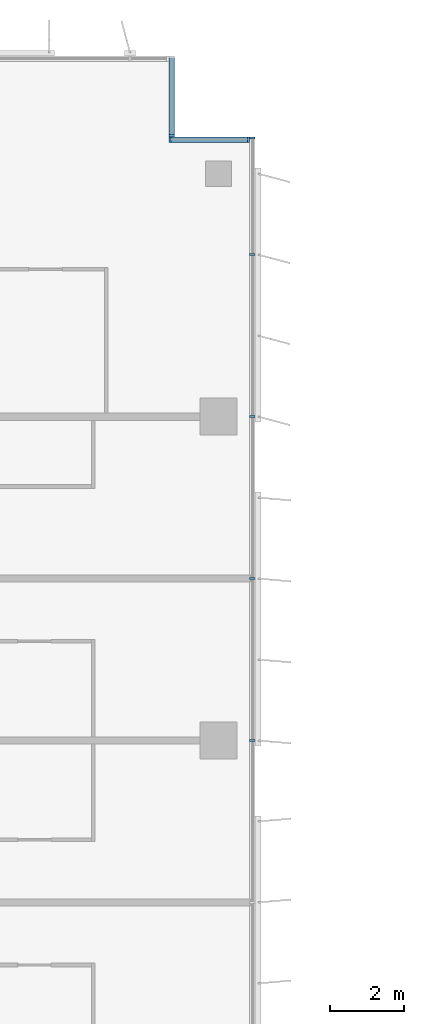
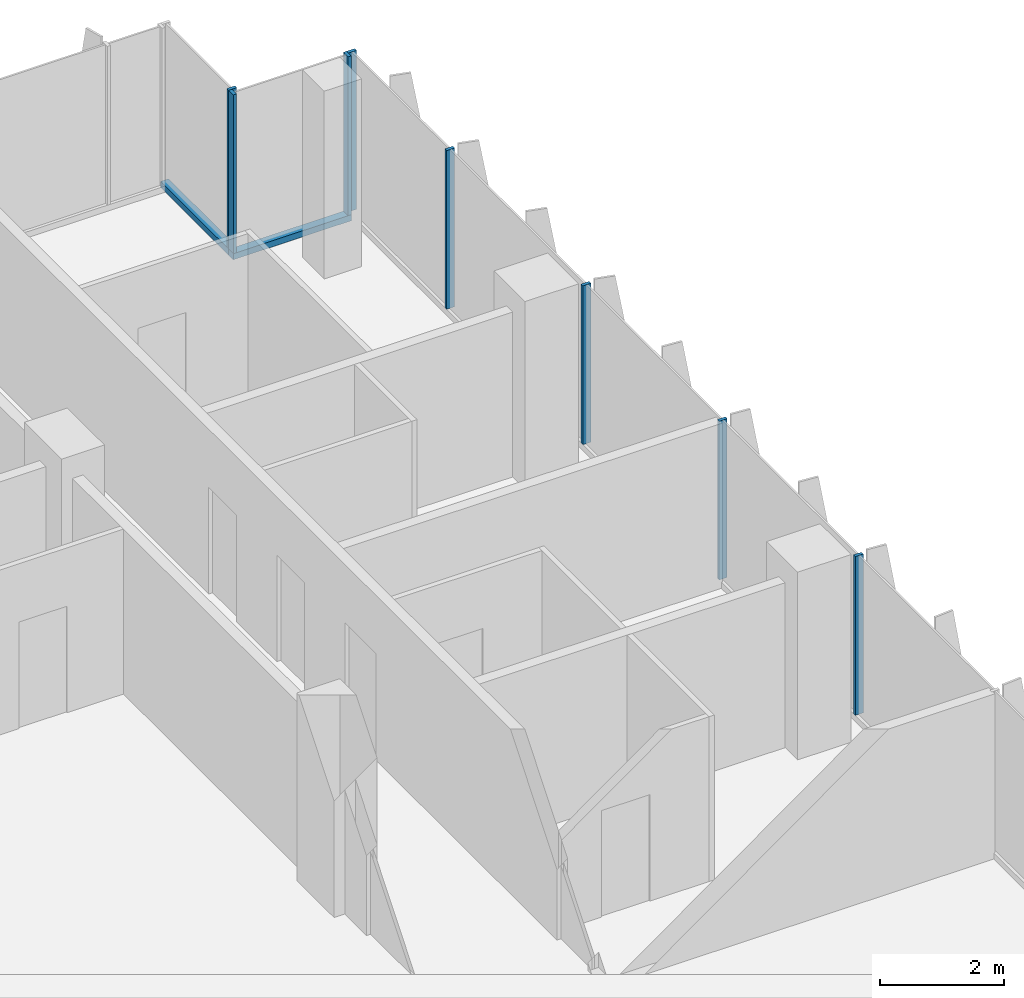
# One storey, part 7 of 21: 10 members, 3 elements without a shape of their own.
"""IFC4 building model written with IfcOpenShell, lengths in metres."""

from ifc_helpers import new_model, si_unit, direction, frame, origin, origin_2d, place, context, subcontext, project, spatial, rectangle, extrude, source, transform, mapped, material, material_profile, profile_set, type_object, element, aggregate, save


model = new_model("IFC4")

# Units and contexts
model_context = context("Model", 3, precision=1e-05, world=origin(), true_north=direction((0.0, 1.0)))
body_context = subcontext(model_context, "Body", "Model", "MODEL_VIEW")
ifc_project = project(units=[si_unit("LENGTHUNIT", "METRE"), si_unit("AREAUNIT", "SQUARE_METRE"), si_unit("VOLUMEUNIT", "CUBIC_METRE"), si_unit("PLANEANGLEUNIT", "RADIAN"), si_unit("MASSUNIT", "GRAM", prefix="KILO")], contexts=[model_context])

# Site, building, storey
site_placement = place(None, origin())
site = spatial("IfcSite", under=ifc_project, at=site_placement, CompositionType="ELEMENT")
building_placement = place(site_placement, origin())
building = spatial("IfcBuilding", under=site, at=building_placement, Name="Kemantara Hotel Tower", CompositionType="ELEMENT")
storey_placement = place(building_placement, frame((0.0, 0.0, 219.10009765625)))
storey = spatial("IfcBuildingStorey", under=building, at=storey_placement, Name="L54", CompositionType="ELEMENT", Elevation=219.10009765625)

# Curtain wall, member
ifc_material_1 = material(Name="Low-E tinted double insulated glass 36 mm", Category="glass")
curtain_wall_type = type_object("IfcCurtainWallType", Name="TOWER CURTAIN WALL, FRONT FACES", PredefinedType="USERDEFINED", material=ifc_material_1)
curtain_wall_1_placement = place(storey_placement, origin())
curtain_wall_1 = element("IfcCurtainWall", 1, at=curtain_wall_1_placement, inside=storey, type_object=curtain_wall_type, Name="CW4 L54 T3-R00-1", ObjectType="TOWER CURTAIN WALL, FRONT FACES", PredefinedType="USERDEFINED")
ifc_material_2 = material(Name="Aluminium 6063-T6 bronze anodised", Category="aluminium")
ifc_material_profile_1 = material_profile(ifc_material_2, rectangle(XDim=0.14990234375, YDim=0.1201171875, at=origin_2d()), Name="TOWER CURTAIN WALL, FRONT FACES TRANSOM")
ifc_profile_set_1 = profile_set([ifc_material_profile_1], Name="Aluminium 6063-T6 bronze anodised")
member_type_1 = type_object("IfcMemberType", Name="TOWER CURTAIN WALL, FRONT FACES TRANSOM", PredefinedType="USERDEFINED", material=ifc_profile_set_1)
member_1_placement = place(storey_placement, frame((21.85009765625, 61.324951171875, 0.059814453125), z_axis=(-1.0, 0.0, 0.0), x_axis=(0.0, -1.0, 0.0)))
member_1 = element("IfcMember", 2, at=member_1_placement, type_object=member_type_1, Name="CW4 sill transom T3-R00-1", ObjectType="TRANSOM", PredefinedType="USERDEFINED", context=body_context, shape_type="SweptSolid", body=[
    extrude(rectangle(XDim=0.14990234375, YDim=0.1201171875, at=origin_2d()), origin(), (0.0, 0.0, 1.0), 2.2001953125),
])

curtain_wall_2_placement = place(storey_placement, origin())
curtain_wall_2 = element("IfcCurtainWall", 3, at=curtain_wall_2_placement, inside=storey, type_object=curtain_wall_type, Name="CW4 L54 T3-R01-1", ObjectType="TOWER CURTAIN WALL, FRONT FACES", PredefinedType="USERDEFINED")
member_2_placement = place(storey_placement, frame((19.72509765625, 61.39990234375, 0.059814453125), z_axis=(0.0, 1.0, 0.0), x_axis=(-1.0, 0.0, 0.0)))
member_2 = element("IfcMember", 4, at=member_2_placement, type_object=member_type_1, Name="CW4 sill transom T3-R01-1", ObjectType="TRANSOM", PredefinedType="USERDEFINED", context=body_context, shape_type="SweptSolid", body=[
    extrude(rectangle(XDim=0.14990234375, YDim=0.1201171875, at=origin_2d()), origin(), (0.0, 0.0, 1.0), 2.2001953125),
])

# Curtain wall, members
curtain_wall_3_placement = place(storey_placement, origin())
curtain_wall_3 = element("IfcCurtainWall", 5, at=curtain_wall_3_placement, inside=storey, type_object=curtain_wall_type, Name="CW4 L54 T3-R17-1", ObjectType="TOWER CURTAIN WALL, FRONT FACES", PredefinedType="USERDEFINED")
ifc_material_profile_2 = material_profile(ifc_material_2, rectangle(XDim=0.14990234375, YDim=0.06005859375, at=origin_2d()), Name="TOWER CURTAIN WALL, FRONT FACES MULLION")
ifc_profile_set_2 = profile_set([ifc_material_profile_2], Name="Aluminium 6063-T6 bronze anodised")
member_type_2 = type_object("IfcMemberType", Name="TOWER CURTAIN WALL, FRONT FACES MULLION", PredefinedType="MULLION", material=ifc_profile_set_2)
shared_shape = source(origin(), body_context, "Body", "SweptSolid", [
    extrude(rectangle(XDim=0.14990234375, YDim=0.06005859375, at=origin_2d()), origin(), (0.0, 0.0, 1.0), 3.130126953125),
])
member_3_placement = place(storey_placement, frame((21.925048828125, 45.0, 0.119873046875), z_axis=(0.0, 0.0, 1.0), x_axis=(-1.0, 0.0, 0.0)))
member_3 = element("IfcMember", 6, at=member_3_placement, type_object=member_type_2, Name="CW4 mullion T3-R17-1.6", PredefinedType="MULLION", context=body_context, shape_type="MappedRepresentation", body=[
    mapped(shared_shape, transform((0.0, 0.0, 0.0))),
])
member_4_placement = place(storey_placement, frame((21.925048828125, 49.39990234375, 0.119873046875), z_axis=(0.0, 0.0, 1.0), x_axis=(-1.0, 0.0, 0.0)))
member_4 = element("IfcMember", 7, at=member_4_placement, type_object=member_type_2, Name="CW4 mullion T3-R17-1.7", PredefinedType="MULLION", context=body_context, shape_type="MappedRepresentation", body=[
    mapped(shared_shape, transform((0.0, 0.0, 0.0))),
])
member_5_placement = place(storey_placement, frame((21.925048828125, 53.800048828125, 0.119873046875), z_axis=(0.0, 0.0, 1.0), x_axis=(-1.0, 0.0, 0.0)))
member_5 = element("IfcMember", 8, at=member_5_placement, type_object=member_type_2, Name="CW4 mullion T3-R17-1.8", PredefinedType="MULLION", context=body_context, shape_type="MappedRepresentation", body=[
    mapped(shared_shape, transform((0.0, 0.0, 0.0))),
])
member_6_placement = place(storey_placement, frame((21.925048828125, 58.199951171875, 0.119873046875), z_axis=(0.0, 0.0, 1.0), x_axis=(-1.0, 0.0, 0.0)))
member_6 = element("IfcMember", 9, at=member_6_placement, type_object=member_type_2, Name="CW4 mullion T3-R17-1.9", PredefinedType="MULLION", context=body_context, shape_type="MappedRepresentation", body=[
    mapped(shared_shape, transform((0.0, 0.0, 0.0))),
])
member_7_placement = place(storey_placement, frame((21.925048828125, 61.3701171875, 0.119873046875), z_axis=(0.0, 0.0, 1.0), x_axis=(-1.0, 0.0, 0.0)))
member_7 = element("IfcMember", 10, at=member_7_placement, type_object=member_type_2, Name="CW4 mullion T3-R17-1.10", PredefinedType="MULLION", context=body_context, shape_type="MappedRepresentation", body=[
    mapped(shared_shape, transform((0.0, 0.0, 0.0))),
])
aggregate(curtain_wall_3, [member_3, member_4, member_5, member_6, member_7])

# Member
member_8_placement = place(storey_placement, frame((21.820068359375, 61.324951171875, 0.119873046875), z_axis=(0.0, 0.0, 1.0), x_axis=(0.0, -1.0, 0.0)))
member_8 = element("IfcMember", 11, at=member_8_placement, type_object=member_type_2, Name="CW4 mullion T3-R00-1.1", PredefinedType="MULLION", context=body_context, shape_type="MappedRepresentation", body=[
    mapped(shared_shape, transform((0.0, 0.0, 0.0))),
])

member_9_placement = place(storey_placement, frame((19.679931640625, 61.324951171875, 0.119873046875), z_axis=(0.0, 0.0, 1.0), x_axis=(0.0, -1.0, 0.0)))
member_9 = element("IfcMember", 12, at=member_9_placement, type_object=member_type_2, Name="CW4 mullion T3-R00-1.2", PredefinedType="MULLION", context=body_context, shape_type="MappedRepresentation", body=[
    mapped(shared_shape, transform((0.0, 0.0, 0.0))),
])

aggregate(curtain_wall_1, [member_1, member_8, member_9])

member_10_placement = place(storey_placement, frame((19.72509765625, 61.429931640625, 0.119873046875), z_axis=(0.0, 0.0, 1.0), x_axis=(-1.0, 0.0, 0.0)))
member_10 = element("IfcMember", 13, at=member_10_placement, type_object=member_type_2, Name="CW4 mullion T3-R01-1.1", PredefinedType="MULLION", context=body_context, shape_type="MappedRepresentation", body=[
    mapped(shared_shape, transform((0.0, 0.0, 0.0))),
])

aggregate(curtain_wall_2, [member_2, member_10])

save(model, "model.ifc")
